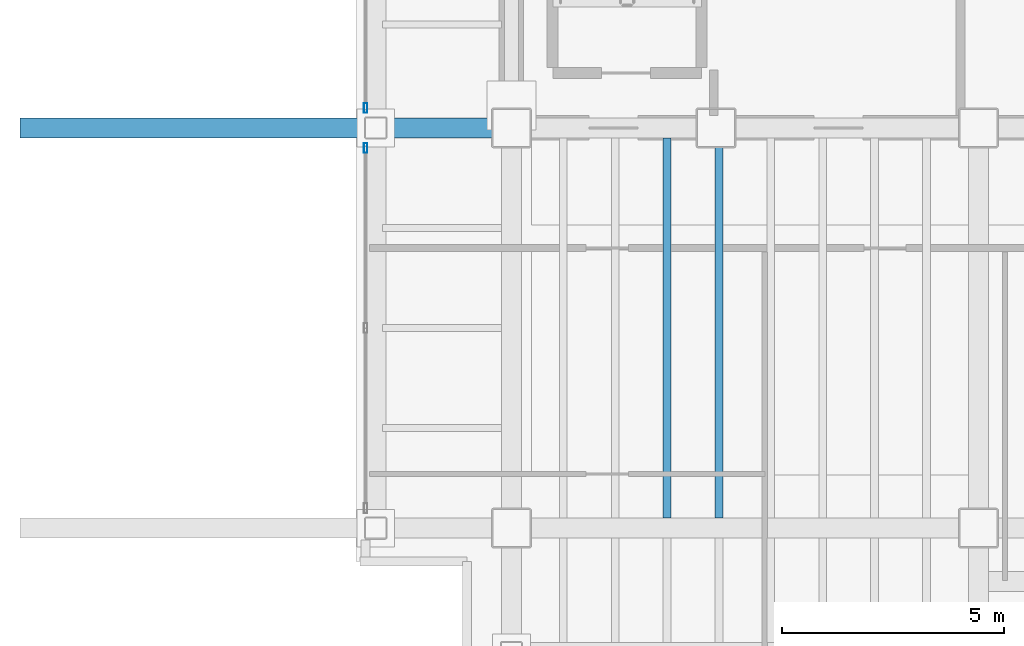
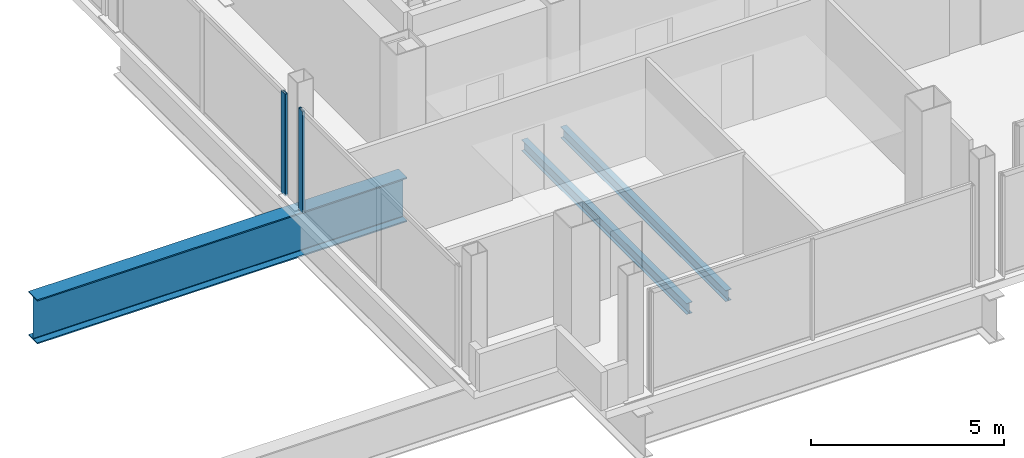
# One storey, part 4 of 19: 3 beams, 2 members, 2 elements without a shape of their own.
"""IFC4 building model written with IfcOpenShell, lengths in metres."""

from ifc_helpers import new_model, si_unit, direction, frame, origin, origin_2d, place, context, subcontext, project, spatial, hollow_rectangle, i_section, extrude, material, material_profile, profile_set, type_object, element, aggregate, save


model = new_model("IFC4")

# Units and contexts
model_context = context("Model", 3, precision=1e-05, world=origin(), true_north=direction((0.0, 1.0)))
body_context = subcontext(model_context, "Body", "Model", "MODEL_VIEW")
ifc_project = project(units=[si_unit("LENGTHUNIT", "METRE"), si_unit("AREAUNIT", "SQUARE_METRE"), si_unit("VOLUMEUNIT", "CUBIC_METRE"), si_unit("PLANEANGLEUNIT", "RADIAN"), si_unit("MASSUNIT", "GRAM", prefix="KILO")], contexts=[model_context])

# Site, building, storey
site_placement = place(None, origin())
site = spatial("IfcSite", under=ifc_project, at=site_placement, CompositionType="ELEMENT")
building_placement = place(site_placement, origin())
building = spatial("IfcBuilding", under=site, at=building_placement, Name="Noeulbin Bourse Tower", CompositionType="ELEMENT")
storey_placement = place(building_placement, frame((0.0, 0.0, 169.5)))
storey = spatial("IfcBuildingStorey", under=building, at=storey_placement, Name="L42", CompositionType="ELEMENT", Elevation=169.5)

# Beams
ifc_material_1 = material(Name="Steel S355", Category="steel")
ifc_material_profile_1 = material_profile(ifc_material_1, i_section(OverallWidth=0.175048828125, OverallDepth=0.35009765625, WebThickness=0.007080078125, FlangeThickness=0.010986328125, FilletRadius=0.013916015625, at=origin_2d()), Name="H-350x175x7x11", Category="LoadBearing")
ifc_profile_set_1 = profile_set([ifc_material_profile_1], Name="Steel S355")
beam_type_1 = type_object("IfcBeamType", Name="BM-JST-350", PredefinedType="JOIST", material=ifc_profile_set_1)
for number, where, z_axis, x_axis, name in (
    (1, (17.0, 20.22509765625, -0.4150390625), (0.0, 1.0, 0.0), (-1.0, 0.0, 0.0), "Tower Composite Joist L42-08"),
    (2, (18.166748046875, 20.22509765625, -0.4150390625), (0.0, 1.0, 0.0), (-1.0, 0.0, 0.0), "Tower Composite Joist L42-11"),
):
    element("IfcBeam", number, at=place(storey_placement, frame(where, z_axis=z_axis, x_axis=x_axis)), inside=storey, type_object=beam_type_1, Name=name, PredefinedType="JOIST", context=body_context, shape_type="SweptSolid", body=[
        extrude(i_section(OverallWidth=0.175048828125, OverallDepth=0.35009765625, WebThickness=0.007080078125, FlangeThickness=0.010986328125, FilletRadius=0.013916015625, at=origin_2d()), origin(), (0.0, 0.0, 1.0), 8.5498046875),
    ])
ifc_material_2 = material(Name="Steel S460", Category="steel")
ifc_material_profile_2 = material_profile(ifc_material_2, i_section(OverallWidth=0.449951171875, OverallDepth=1.39990234375, WebThickness=0.02392578125, FlangeThickness=0.0400390625, FilletRadius=0.02392578125, at=origin_2d()), Name="PG-1400x450x24x40", Category="LoadBearing")
ifc_profile_set_2 = profile_set([ifc_material_profile_2], Name="Steel S460")
beam_type_2 = type_object("IfcBeamType", Name="BM-TRF-1400", PredefinedType="USERDEFINED", material=ifc_profile_set_2)
beam_placement = place(storey_placement, frame((2.449951171875, 29.0, -0.93994140625), z_axis=(1.0, 0.0, 0.0), x_axis=(0.0, 1.0, 0.0)))
element("IfcBeam", 3, at=beam_placement, inside=storey, type_object=beam_type_2, Name="Tower Primary Girder EW L42-2.1", ObjectType="GIRDER", PredefinedType="USERDEFINED", context=body_context, shape_type="SweptSolid", body=[
    extrude(i_section(OverallWidth=0.449951171875, OverallDepth=1.39990234375, WebThickness=0.02392578125, FlangeThickness=0.0400390625, FilletRadius=0.02392578125, at=origin_2d()), origin(), (0.0, 0.0, 1.0), 11.050048828125),
])

# Curtain wall, member
ifc_material_3 = material(Name="Dark Tinted Triple Glazing", Category="glass")
curtain_wall_type = type_object("IfcCurtainWallType", Name="CW-SYS-3", PredefinedType="NOTDEFINED", material=ifc_material_3)
curtain_wall_1_placement = place(storey_placement, origin())
curtain_wall_1 = element("IfcCurtainWall", 4, at=curtain_wall_1_placement, inside=storey, type_object=curtain_wall_type, Name="Unitised Curtain Wall CW-L42-W-S1", PredefinedType="NOTDEFINED")
ifc_material_4 = material(Name="Anodised Aluminium 6063-T6", Category="aluminium")
ifc_material_profile_3 = material_profile(ifc_material_4, hollow_rectangle(XDim=0.074951171875, YDim=0.219970703125, WallThickness=0.0048828125, InnerFilletRadius=0.00244140625, OuterFilletRadius=0.0048828125, at=origin_2d()), Name="ALU-MULL-75x220x5", Category="LoadBearing")
ifc_profile_set_3 = profile_set([ifc_material_profile_3], Name="Anodised Aluminium 6063-T6")
member_type = type_object("IfcMemberType", Name="CW-SYS-3-MUL", PredefinedType="MULLION", material=ifc_profile_set_3)
member_1_placement = place(storey_placement, frame((10.219970703125, 28.550048828125, -0.02001953125), z_axis=(0.0, 0.0, 1.0), x_axis=(1.0, 0.0, 0.0)))
member_1 = element("IfcMember", 5, at=member_1_placement, type_object=member_type, Name="Curtain Wall Mullion CW-L42-W-S1-M02", PredefinedType="MULLION", context=body_context, shape_type="SweptSolid", body=[
    extrude(hollow_rectangle(XDim=0.074951171875, YDim=0.219970703125, WallThickness=0.0048828125, InnerFilletRadius=0.00244140625, OuterFilletRadius=0.0048828125, at=origin_2d()), origin(), (0.0, 0.0, 1.0), 3.219970703125),
])
aggregate(curtain_wall_1, [member_1])

curtain_wall_2_placement = place(storey_placement, origin())
curtain_wall_2 = element("IfcCurtainWall", 6, at=curtain_wall_2_placement, inside=storey, type_object=curtain_wall_type, Name="Unitised Curtain Wall CW-L42-W-S2", PredefinedType="NOTDEFINED")
member_2_placement = place(storey_placement, frame((10.219970703125, 29.449951171875, -0.02001953125), z_axis=(0.0, 0.0, 1.0), x_axis=(1.0, 0.0, 0.0)))
member_2 = element("IfcMember", 7, at=member_2_placement, type_object=member_type, Name="Curtain Wall Mullion CW-L42-W-S2-M00", PredefinedType="MULLION", context=body_context, shape_type="SweptSolid", body=[
    extrude(hollow_rectangle(XDim=0.074951171875, YDim=0.219970703125, WallThickness=0.0048828125, InnerFilletRadius=0.00244140625, OuterFilletRadius=0.0048828125, at=origin_2d()), origin(), (0.0, 0.0, 1.0), 3.219970703125),
])
aggregate(curtain_wall_2, [member_2])

save(model, "model.ifc")
